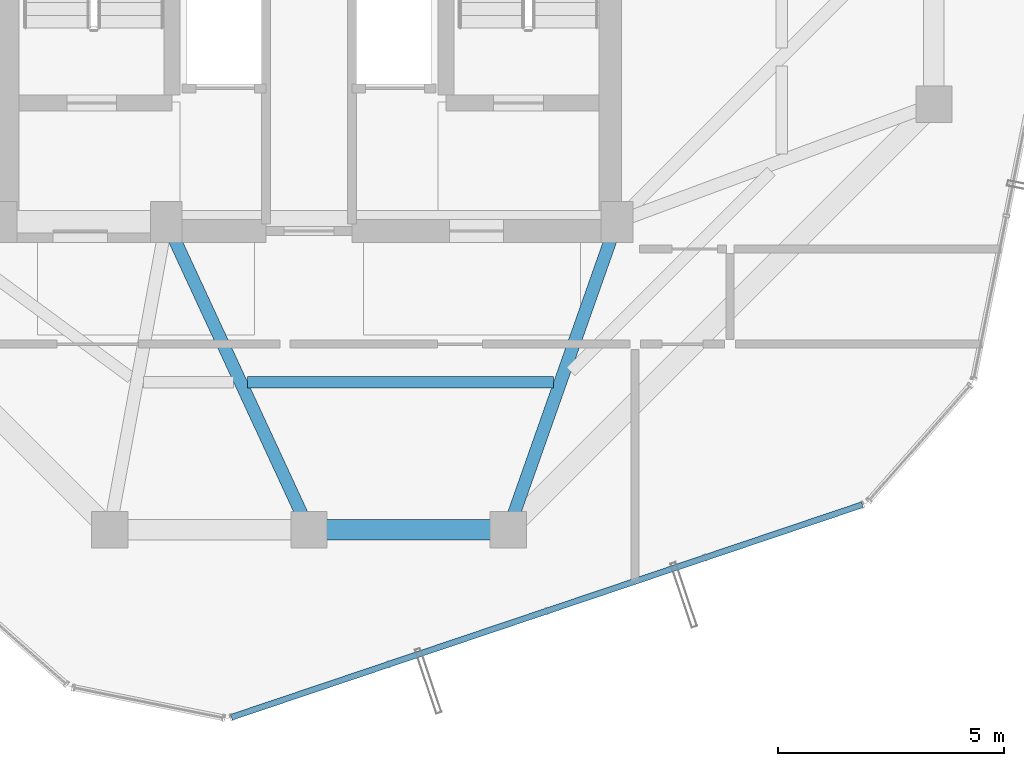
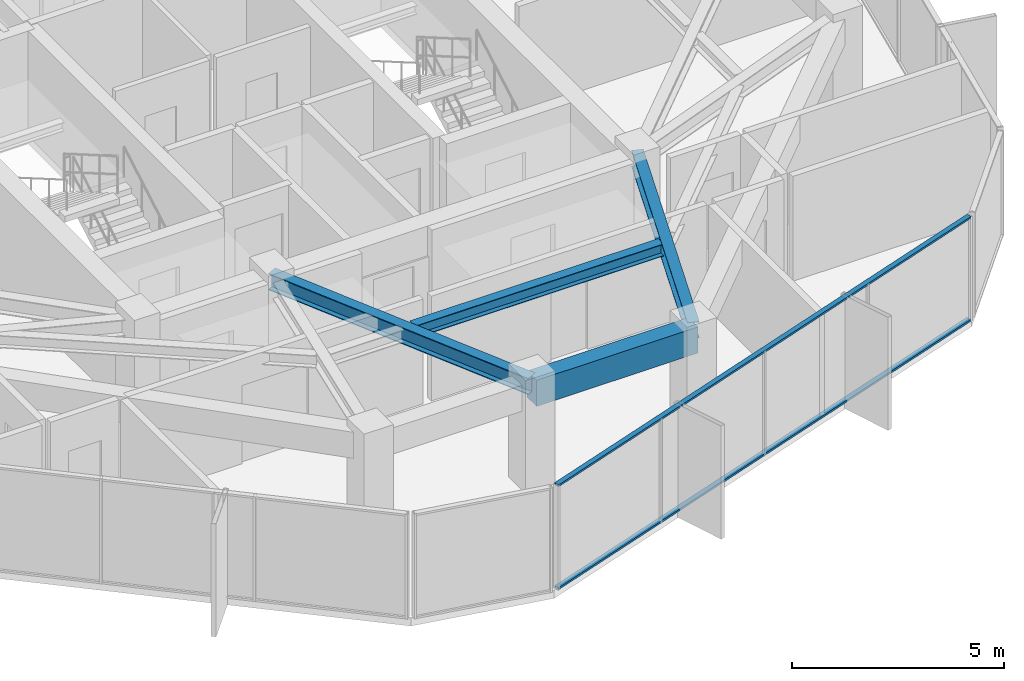
# One storey, part 8 of 28: 4 beams, 2 members, 1 element without a shape of its own.
"""IFC4 building model written with IfcOpenShell, lengths in metres."""

from ifc_helpers import new_model, si_unit, direction, frame, origin, origin_2d, place, context, subcontext, project, spatial, rectangle, hollow_rectangle, i_section, extrude, source, transform, mapped, material, layer, layer_set, material_profile, profile_set, type_object, element, aggregate, save


model = new_model("IFC4")

# Units and contexts
model_context = context("Model", 3, precision=1e-05, world=origin(), true_north=direction((0.0, 1.0)))
body_context = subcontext(model_context, "Body", "Model", "MODEL_VIEW")
ifc_project = project(units=[si_unit("LENGTHUNIT", "METRE"), si_unit("AREAUNIT", "SQUARE_METRE"), si_unit("VOLUMEUNIT", "CUBIC_METRE"), si_unit("PLANEANGLEUNIT", "RADIAN"), si_unit("MASSUNIT", "GRAM", prefix="KILO")], contexts=[model_context])

# Site, building, storey
site_placement = place(None, origin())
site = spatial("IfcSite", under=ifc_project, at=site_placement, CompositionType="ELEMENT")
building_placement = place(site_placement, origin())
building = spatial("IfcBuilding", under=site, at=building_placement, Name="Veraguas Prism Commons", CompositionType="ELEMENT")
storey_placement = place(building_placement, frame((0.0, 0.0, 248.0)))
storey = spatial("IfcBuildingStorey", under=building, at=storey_placement, Name="L70", CompositionType="ELEMENT", Elevation=248.0)

# Beams
ifc_material_1 = material(Name="Concrete C50/60", Category="concrete")
ifc_material_profile_1 = material_profile(ifc_material_1, rectangle(XDim=0.449951171875, YDim=0.75, at=origin_2d()), Name="RC450X750")
ifc_profile_set_1 = profile_set([ifc_material_profile_1], Name="Concrete C50/60")
beam_type_1 = type_object("IfcBeamType", Name="Perimeter Spandrel Upper RC 450x750", PredefinedType="SPANDREL", material=ifc_profile_set_1)
beam_1_placement = place(storey_placement, frame((24.0, 10.199951171875, 2.639892578125), z_axis=(1.0, 0.0, 0.0), x_axis=(0.0, 1.0, 0.0)))
element("IfcBeam", 1, at=beam_1_placement, inside=storey, type_object=beam_type_1, Name="Perimeter Spandrel Beam L70-SP11", PredefinedType="SPANDREL", context=body_context, shape_type="SweptSolid", body=[
    extrude(rectangle(XDim=0.449951171875, YDim=0.75, at=origin_2d()), origin(), (0.0, 0.0, 1.0), 4.39990234375),
])
ifc_material_2 = material(Name="Steel ASTM A992 Grade 50", Category="steel")
ifc_material_profile_2 = material_profile(ifc_material_2, i_section(OverallWidth=0.25390625, OverallDepth=0.35302734375, WebThickness=0.009521484375, FlangeThickness=0.016357421875, at=origin_2d()), Name="W360X91")
ifc_profile_set_2 = profile_set([ifc_material_profile_2], Name="Steel ASTM A992 Grade 50")
beam_type_2 = type_object("IfcBeamType", Name="Upper Floor Joist W360x91", PredefinedType="JOIST", material=ifc_profile_set_2)
beam_2_placement = place(storey_placement, frame((22.6416015625, 13.464111328125, 2.83837890625), z_axis=(1.0, 0.0, 0.0), x_axis=(0.0, 1.0, 0.0)))
element("IfcBeam", 2, at=beam_2_placement, inside=storey, type_object=beam_type_2, Name="Composite Floor Joist L70-JS11", PredefinedType="JOIST", context=body_context, shape_type="SweptSolid", body=[
    extrude(i_section(OverallWidth=0.25390625, OverallDepth=0.35302734375, WebThickness=0.009521484375, FlangeThickness=0.016357421875, at=origin_2d()), origin(), (0.0, 0.0, 1.0), 6.762451171875),
])
ifc_material_profile_3 = material_profile(ifc_material_2, i_section(OverallWidth=0.282958984375, OverallDepth=0.471923828125, WebThickness=0.013671875, FlangeThickness=0.022216796875, at=origin_2d()), Name="W460X144")
ifc_profile_set_3 = profile_set([ifc_material_profile_3], Name="Steel ASTM A992 Grade 50")
beam_type_3 = type_object("IfcBeamType", Name="Zone 4 Radial Girder W460x144", PredefinedType="BEAM", material=ifc_profile_set_3)
beam_3_placement = place(storey_placement, frame((24.0, 10.199951171875, 2.779052734375), z_axis=(-0.420313834543, 0.907378796585, 0.0), x_axis=(-0.907378796585, -0.420313834543, 0.0)))
element("IfcBeam", 3, at=beam_3_placement, inside=storey, type_object=beam_type_3, Name="Radial Floor Girder L70-RD11", PredefinedType="BEAM", context=body_context, shape_type="SweptSolid", body=[
    extrude(i_section(OverallWidth=0.282958984375, OverallDepth=0.471923828125, WebThickness=0.013671875, FlangeThickness=0.022216796875, at=origin_2d()), origin(), (0.0, 0.0, 1.0), 7.494140625),
])
beam_4_placement = place(storey_placement, frame((28.39990234375, 10.199951171875, 2.779052734375), z_axis=(0.332836055941, 0.942984708182, 0.0), x_axis=(-0.942984708182, 0.332836055941, 0.0)))
element("IfcBeam", 4, at=beam_4_placement, inside=storey, type_object=beam_type_3, Name="Radial Floor Girder L70-RD12", PredefinedType="BEAM", context=body_context, shape_type="SweptSolid", body=[
    extrude(i_section(OverallWidth=0.282958984375, OverallDepth=0.471923828125, WebThickness=0.013671875, FlangeThickness=0.022216796875, at=origin_2d()), origin(), (0.0, 0.0, 1.0), 7.211181640625),
])

# Curtain wall, members
ifc_material_3 = material(Name="Anodised aluminium EN AW-6063 T6", Category="aluminium")
ifc_layer = layer(ifc_material_3, 0.14990234375, Name="Unitised Flush Curtain Wall Zone 4", Category="aluminium")
ifc_layer_set = layer_set([ifc_layer], Name="Anodised aluminium EN AW-6063 T6")
curtain_wall_type = type_object("IfcCurtainWallType", Name="Unitised Flush Curtain Wall Zone 4", PredefinedType="NOTDEFINED", material=ifc_layer_set)
curtain_wall_placement = place(storey_placement, origin())
curtain_wall = element("IfcCurtainWall", 5, at=curtain_wall_placement, inside=storey, type_object=curtain_wall_type, Name="Tower Facade Curtain Wall L70-F5", PredefinedType="NOTDEFINED")
ifc_material_profile_4 = material_profile(ifc_material_3, hollow_rectangle(XDim=0.054931640625, YDim=0.135009765625, WallThickness=0.0029296875, at=origin_2d()), Name="AL55X135X3")
ifc_profile_set_4 = profile_set([ifc_material_profile_4], Name="Anodised aluminium EN AW-6063 T6")
member_type = type_object("IfcMemberType", Name="Curtain Wall Transom Standard AL 55x135x3", PredefinedType="USERDEFINED", material=ifc_profile_set_4)
shared_shape = source(origin(), body_context, "Body", "SweptSolid", [
    extrude(hollow_rectangle(XDim=0.054931640625, YDim=0.135009765625, WallThickness=0.0029296875, at=origin_2d()), origin(), (0.0, 0.0, 1.0), 14.7060546875),
])
member_1_placement = place(storey_placement, frame((22.28564453125, 6.05908203125, 0.027587890625), z_axis=(0.947655693311, 0.319294044627, 0.0), x_axis=(0.0, 0.0, 1.0)))
member_1 = element("IfcMember", 6, at=member_1_placement, type_object=member_type, Name="CW-Z4 Transom 1", ObjectType="TRANSOM", PredefinedType="USERDEFINED", context=body_context, shape_type="MappedRepresentation", body=[
    mapped(shared_shape, transform((0.0, 0.0, 0.0), scale=1.0)),
])
member_2_placement = place(storey_placement, frame((22.28564453125, 6.05908203125, 2.987548828125), z_axis=(0.947655693311, 0.319294044627, 0.0), x_axis=(0.0, 0.0, 1.0)))
member_2 = element("IfcMember", 7, at=member_2_placement, type_object=member_type, Name="CW-Z4 Transom 2", ObjectType="TRANSOM", PredefinedType="USERDEFINED", context=body_context, shape_type="MappedRepresentation", body=[
    mapped(shared_shape, transform((0.0, 0.0, 0.0), scale=1.0)),
])
aggregate(curtain_wall, [member_1, member_2])

save(model, "model.ifc")
